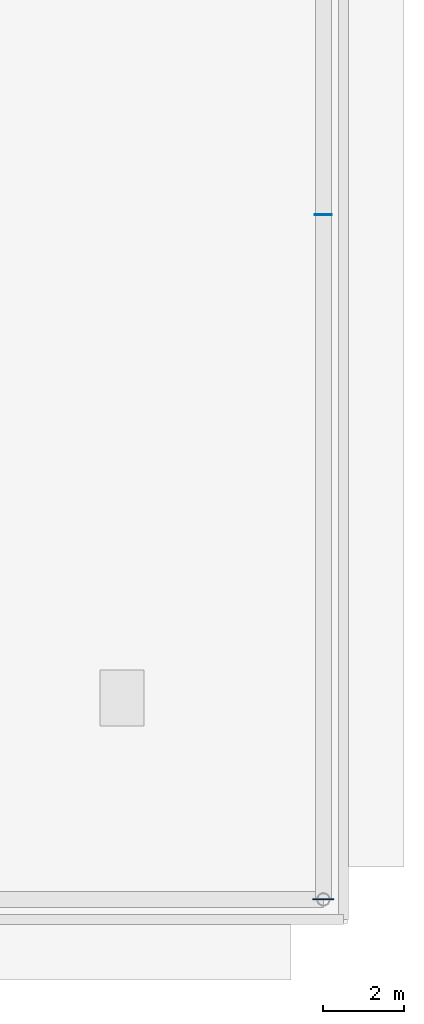
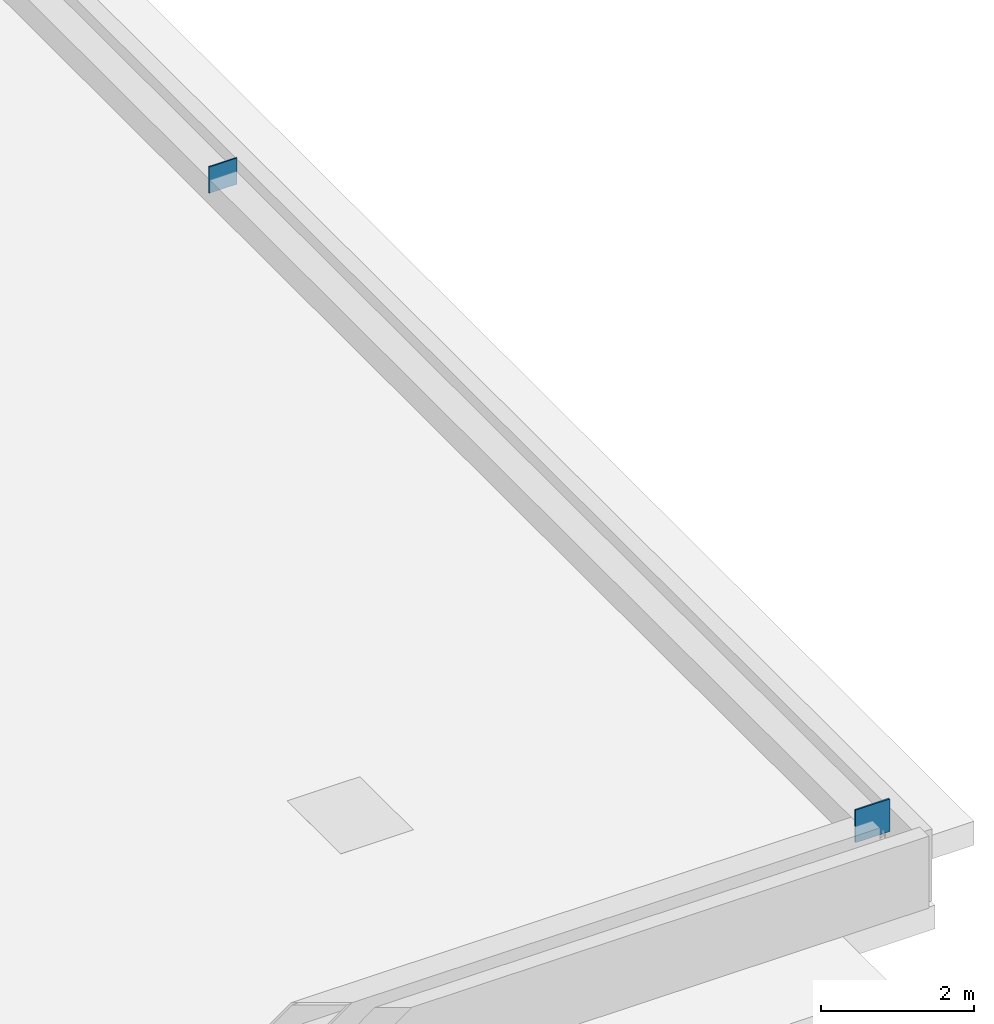
# One storey, part 7 of 9: 2 plates.
"""IFC4 building model written with IfcOpenShell, lengths in metres."""

from ifc_helpers import new_model, si_unit, direction, frame, origin, origin_2d, place, context, subcontext, project, spatial, rectangle, extrude, source, transform, mapped, material, layer, layer_set, type_object, element, save


model = new_model("IFC4")

# Units and contexts
model_context = context("Model", 3, precision=1e-05, world=origin(), true_north=direction((0.0, 1.0)))
body_context = subcontext(model_context, "Body", "Model", "MODEL_VIEW")
ifc_project = project(units=[si_unit("LENGTHUNIT", "METRE"), si_unit("AREAUNIT", "SQUARE_METRE"), si_unit("VOLUMEUNIT", "CUBIC_METRE"), si_unit("PLANEANGLEUNIT", "RADIAN"), si_unit("MASSUNIT", "GRAM", prefix="KILO")], contexts=[model_context])

# Site, building, storey
site_placement = place(None, origin())
site = spatial("IfcSite", under=ifc_project, at=site_placement, CompositionType="ELEMENT")
building_placement = place(site_placement, origin())
building = spatial("IfcBuilding", under=site, at=building_placement, Name="Nahalor Promenade Grand Hotel", CompositionType="ELEMENT")
storey_placement = place(building_placement, frame((0.0, 0.0, 375.449951171875)))
storey = spatial("IfcBuildingStorey", under=building, at=storey_placement, Name="RF", CompositionType="ELEMENT", Elevation=375.449951171875)

# Plates
ifc_material = material(Name="Steel S355JR", Category="steel")
ifc_layer_1 = layer(ifc_material, 0.02490234375)
ifc_layer_set_1 = layer_set([ifc_layer_1], Name="Steel S355JR")
plate_type_1 = type_object("IfcPlateType", Name="Plate-EndCap-25", PredefinedType="USERDEFINED", material=ifc_layer_set_1)
shared_shape_1 = source(origin(), body_context, "Body", "SweptSolid", [
    extrude(rectangle(XDim=0.52001953125, YDim=0.02490234375, at=origin_2d()), origin(), (0.0, 0.0, 1.0), 0.52001953125),
])
plate_1_placement = place(storey_placement, frame((17.0, -17.0, 0.93994140625), z_axis=(0.0, 0.0, 1.0), x_axis=(1.0, 0.0, 0.0)))
element("IfcPlate", 1, at=plate_1_placement, inside=storey, type_object=plate_type_1, Name="PL-RF-CN1-1", ObjectType="CAP_PLATE", PredefinedType="USERDEFINED", context=body_context, shape_type="MappedRepresentation", body=[
    mapped(shared_shape_1, transform((0.0, 0.0, 0.0), scale=1.0)),
])
ifc_layer_2 = layer(ifc_material, 0.02001953125)
ifc_layer_set_2 = layer_set([ifc_layer_2], Name="Steel S355JR")
plate_type_2 = type_object("IfcPlateType", Name="Plate-EndCap-20", PredefinedType="USERDEFINED", material=ifc_layer_set_2)
shared_shape_2 = source(origin(), body_context, "Body", "SweptSolid", [
    extrude(rectangle(XDim=0.419921875, YDim=0.02001953125, at=origin_2d()), origin(), (0.0, 0.0, 1.0), 0.419921875),
])
plate_2_placement = place(storey_placement, frame((17.0, 0.0, 0.989990234375), z_axis=(0.0, 0.0, 1.0), x_axis=(1.0, 0.0, 0.0)))
element("IfcPlate", 2, at=plate_2_placement, inside=storey, type_object=plate_type_2, Name="PL-RF-CAP2-1", ObjectType="CAP_PLATE", PredefinedType="USERDEFINED", context=body_context, shape_type="MappedRepresentation", body=[
    mapped(shared_shape_2, transform((0.0, 0.0, 0.0), scale=1.0)),
])

save(model, "model.ifc")
